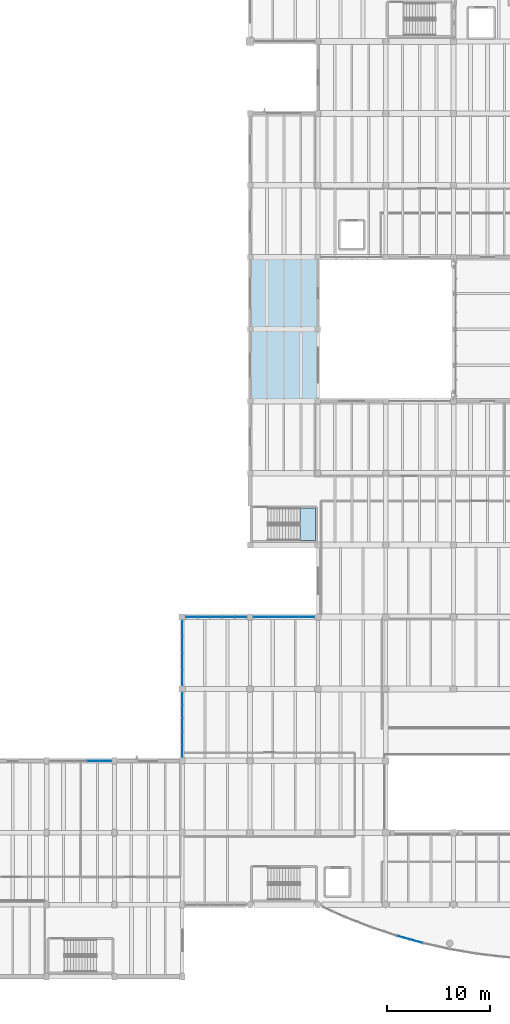
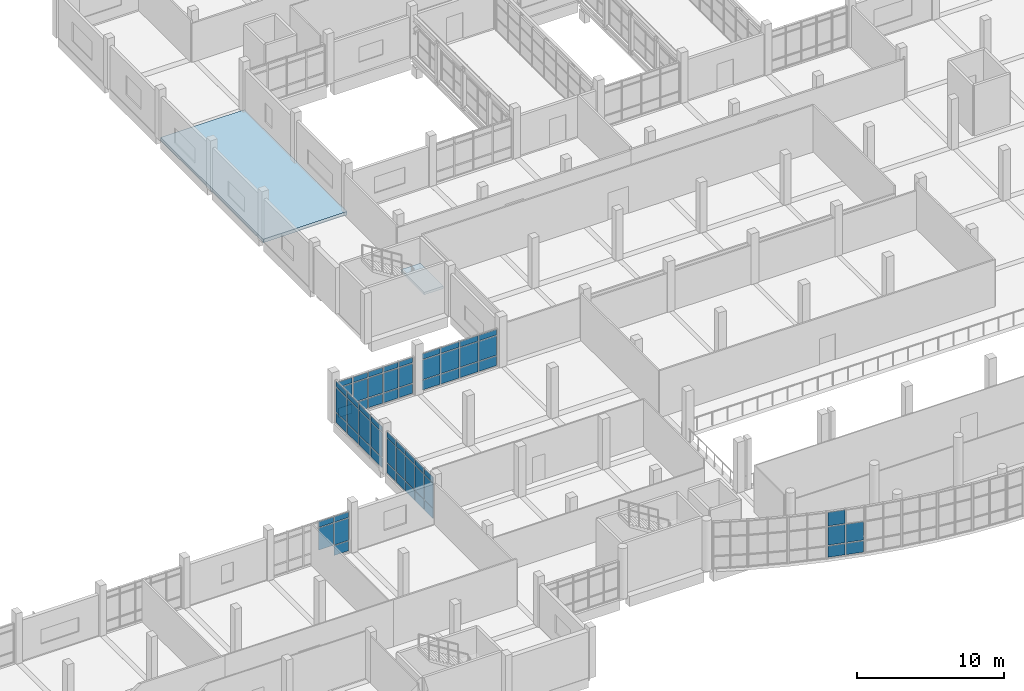
# One storey, part 37 of 67: 64 plates, 2 slabs, 7 elements without a shape of their own.
"""IFC4 building model written with IfcOpenShell, lengths in metres."""

from ifc_helpers import new_model, si_unit, direction, frame, origin, origin_2d, place, context, subcontext, project, spatial, polyline, rectangle, outline, extrude, material, layer, layer_set, type_object, element, aggregate, save


model = new_model("IFC4")

# Units and contexts
model_context = context("Model", 3, precision=1e-05, world=origin(), true_north=direction((0.0, 1.0)))
body_context = subcontext(model_context, "Body", "Model", "MODEL_VIEW")
ifc_project = project(units=[si_unit("LENGTHUNIT", "METRE"), si_unit("AREAUNIT", "SQUARE_METRE"), si_unit("VOLUMEUNIT", "CUBIC_METRE"), si_unit("PLANEANGLEUNIT", "RADIAN"), si_unit("MASSUNIT", "GRAM", prefix="KILO")], contexts=[model_context])

# Site, building, storey
site_placement = place(None, origin())
site = spatial("IfcSite", under=ifc_project, at=site_placement, CompositionType="ELEMENT")
building_placement = place(site_placement, origin())
building = spatial("IfcBuilding", under=site, at=building_placement, Name="Ciguamira Faculty of Natural Sciences", CompositionType="ELEMENT")
storey_placement = place(building_placement, frame((0.0, 0.0, 8.39990234375)))
storey = spatial("IfcBuildingStorey", under=building, at=storey_placement, Name="L02", CompositionType="ELEMENT", Elevation=8.39990234375)

# Curtain wall, plates
ifc_material_1 = material(Name="Anodized aluminium curtain wall", Category="aluminium")
curtain_wall_type_1 = type_object("IfcCurtainWallType", Name="CurtainWall_CW-01", PredefinedType="USERDEFINED", material=ifc_material_1)
curtain_wall_1_placement = place(storey_placement, origin())
curtain_wall_1 = element("IfcCurtainWall", 1, at=curtain_wall_1_placement, inside=storey, type_object=curtain_wall_type_1, Name="L02 unitised curtain wall 0061", ObjectType="UNITISED CURTAIN WALL", PredefinedType="USERDEFINED")
ifc_material_2 = material(Name="Low-E laminated solar glass", Category="glass")
ifc_layer_1 = layer(ifc_material_2, 0.028076171875, Name="Low-E laminated solar glass")
ifc_layer_set_1 = layer_set([ifc_layer_1], Name="Low-E laminated solar glass")
plate_type_1 = type_object("IfcPlateType", Name="CWPanel_CWP-01", PredefinedType="CURTAIN_PANEL", material=ifc_layer_set_1)
plate_1_placement = place(storey_placement, frame((58.364990234375, 38.0, 0.06005859375), z_axis=(0.0, 0.0, 1.0), x_axis=(1.0, 0.0, 0.0)))
plate_1 = element("IfcPlate", 2, at=plate_1_placement, type_object=plate_type_1, Name="CW-01 panel 1.1", PredefinedType="CURTAIN_PANEL", context=body_context, shape_type="SweptSolid", body=[
    extrude(rectangle(XDim=1.409912109375, YDim=0.028076171875, at=origin_2d()), origin(), (0.0, 0.0, 1.0), 0.81005859375),
])
plate_2_placement = place(storey_placement, frame((58.364990234375, 38.0, 0.93017578125), z_axis=(0.0, 0.0, 1.0), x_axis=(1.0, 0.0, 0.0)))
plate_2 = element("IfcPlate", 3, at=plate_2_placement, type_object=plate_type_1, Name="CW-01 panel 1.2", PredefinedType="CURTAIN_PANEL", context=body_context, shape_type="SweptSolid", body=[
    extrude(rectangle(XDim=1.409912109375, YDim=0.028076171875, at=origin_2d()), origin(), (0.0, 0.0, 1.0), 1.625),
])
plate_3_placement = place(storey_placement, frame((58.364990234375, 38.0, 2.615234375), z_axis=(0.0, 0.0, 1.0), x_axis=(1.0, 0.0, 0.0)))
plate_3 = element("IfcPlate", 4, at=plate_3_placement, type_object=plate_type_1, Name="CW-01 panel 1.3", PredefinedType="CURTAIN_PANEL", context=body_context, shape_type="SweptSolid", body=[
    extrude(rectangle(XDim=1.409912109375, YDim=0.028076171875, at=origin_2d()), origin(), (0.0, 0.0, 1.0), 0.4599609375),
])
plate_4_placement = place(storey_placement, frame((59.85009765625, 38.0, 0.06005859375), z_axis=(0.0, 0.0, 1.0), x_axis=(1.0, 0.0, 0.0)))
plate_4 = element("IfcPlate", 5, at=plate_4_placement, type_object=plate_type_1, Name="CW-01 panel 2.1", PredefinedType="CURTAIN_PANEL", context=body_context, shape_type="SweptSolid", body=[
    extrude(rectangle(XDim=1.43994140625, YDim=0.028076171875, at=origin_2d()), origin(), (0.0, 0.0, 1.0), 0.81005859375),
])
plate_5_placement = place(storey_placement, frame((59.85009765625, 38.0, 0.93017578125), z_axis=(0.0, 0.0, 1.0), x_axis=(1.0, 0.0, 0.0)))
plate_5 = element("IfcPlate", 6, at=plate_5_placement, type_object=plate_type_1, Name="CW-01 panel 2.2", PredefinedType="CURTAIN_PANEL", context=body_context, shape_type="SweptSolid", body=[
    extrude(rectangle(XDim=1.43994140625, YDim=0.028076171875, at=origin_2d()), origin(), (0.0, 0.0, 1.0), 1.625),
])
plate_6_placement = place(storey_placement, frame((59.85009765625, 38.0, 2.615234375), z_axis=(0.0, 0.0, 1.0), x_axis=(1.0, 0.0, 0.0)))
plate_6 = element("IfcPlate", 7, at=plate_6_placement, type_object=plate_type_1, Name="CW-01 panel 2.3", PredefinedType="CURTAIN_PANEL", context=body_context, shape_type="SweptSolid", body=[
    extrude(rectangle(XDim=1.43994140625, YDim=0.028076171875, at=origin_2d()), origin(), (0.0, 0.0, 1.0), 0.4599609375),
])
plate_7_placement = place(storey_placement, frame((61.35009765625, 38.0, 0.06005859375), z_axis=(0.0, 0.0, 1.0), x_axis=(1.0, 0.0, 0.0)))
plate_7 = element("IfcPlate", 8, at=plate_7_placement, type_object=plate_type_1, Name="CW-01 panel 3.1", PredefinedType="CURTAIN_PANEL", context=body_context, shape_type="SweptSolid", body=[
    extrude(rectangle(XDim=1.43994140625, YDim=0.028076171875, at=origin_2d()), origin(), (0.0, 0.0, 1.0), 0.81005859375),
])
plate_8_placement = place(storey_placement, frame((61.35009765625, 38.0, 0.93017578125), z_axis=(0.0, 0.0, 1.0), x_axis=(1.0, 0.0, 0.0)))
plate_8 = element("IfcPlate", 9, at=plate_8_placement, type_object=plate_type_1, Name="CW-01 panel 3.2", PredefinedType="CURTAIN_PANEL", context=body_context, shape_type="SweptSolid", body=[
    extrude(rectangle(XDim=1.43994140625, YDim=0.028076171875, at=origin_2d()), origin(), (0.0, 0.0, 1.0), 1.625),
])
plate_9_placement = place(storey_placement, frame((61.35009765625, 38.0, 2.615234375), z_axis=(0.0, 0.0, 1.0), x_axis=(1.0, 0.0, 0.0)))
plate_9 = element("IfcPlate", 10, at=plate_9_placement, type_object=plate_type_1, Name="CW-01 panel 3.3", PredefinedType="CURTAIN_PANEL", context=body_context, shape_type="SweptSolid", body=[
    extrude(rectangle(XDim=1.43994140625, YDim=0.028076171875, at=origin_2d()), origin(), (0.0, 0.0, 1.0), 0.4599609375),
])
plate_10_placement = place(storey_placement, frame((62.8349609375, 38.0, 0.06005859375), z_axis=(0.0, 0.0, 1.0), x_axis=(1.0, 0.0, 0.0)))
plate_10 = element("IfcPlate", 11, at=plate_10_placement, type_object=plate_type_1, Name="CW-01 panel 4.1", PredefinedType="CURTAIN_PANEL", context=body_context, shape_type="SweptSolid", body=[
    extrude(rectangle(XDim=1.409912109375, YDim=0.028076171875, at=origin_2d()), origin(), (0.0, 0.0, 1.0), 0.81005859375),
])
plate_11_placement = place(storey_placement, frame((62.8349609375, 38.0, 0.93017578125), z_axis=(0.0, 0.0, 1.0), x_axis=(1.0, 0.0, 0.0)))
plate_11 = element("IfcPlate", 12, at=plate_11_placement, type_object=plate_type_1, Name="CW-01 panel 4.2", PredefinedType="CURTAIN_PANEL", context=body_context, shape_type="SweptSolid", body=[
    extrude(rectangle(XDim=1.409912109375, YDim=0.028076171875, at=origin_2d()), origin(), (0.0, 0.0, 1.0), 1.625),
])
plate_12_placement = place(storey_placement, frame((62.8349609375, 38.0, 2.615234375), z_axis=(0.0, 0.0, 1.0), x_axis=(1.0, 0.0, 0.0)))
plate_12 = element("IfcPlate", 13, at=plate_12_placement, type_object=plate_type_1, Name="CW-01 panel 4.3", PredefinedType="CURTAIN_PANEL", context=body_context, shape_type="SweptSolid", body=[
    extrude(rectangle(XDim=1.409912109375, YDim=0.028076171875, at=origin_2d()), origin(), (0.0, 0.0, 1.0), 0.4599609375),
])
aggregate(curtain_wall_1, [plate_1, plate_2, plate_3, plate_4, plate_5, plate_6, plate_7, plate_8, plate_9, plate_10, plate_11, plate_12])

curtain_wall_type_2 = type_object("IfcCurtainWallType", Name="CurtainWall_CW-05", PredefinedType="USERDEFINED", material=ifc_material_1)
curtain_wall_2_placement = place(storey_placement, origin())
curtain_wall_2 = element("IfcCurtainWall", 14, at=curtain_wall_2_placement, inside=storey, type_object=curtain_wall_type_2, Name="L02 unitised curtain wall 0077", ObjectType="UNITISED CURTAIN WALL", PredefinedType="USERDEFINED")
plate_13_placement = place(storey_placement, frame((50.699951171875, 32.117431640625, 0.070068359375), z_axis=(0.0, 0.0, 1.0), x_axis=(0.0, 1.0, 0.0)))
plate_13 = element("IfcPlate", 15, at=plate_13_placement, type_object=plate_type_1, Name="CW-05 panel 1.1", PredefinedType="CURTAIN_PANEL", context=body_context, shape_type="SweptSolid", body=[
    extrude(rectangle(XDim=1.4951171875, YDim=0.028076171875, at=origin_2d()), origin(), (0.0, 0.0, 1.0), 0.794921875),
])
plate_14_placement = place(storey_placement, frame((50.699951171875, 32.117431640625, 0.93505859375), z_axis=(0.0, 0.0, 1.0), x_axis=(0.0, 1.0, 0.0)))
plate_14 = element("IfcPlate", 16, at=plate_14_placement, type_object=plate_type_1, Name="CW-05 panel 1.2", PredefinedType="CURTAIN_PANEL", context=body_context, shape_type="SweptSolid", body=[
    extrude(rectangle(XDim=1.4951171875, YDim=0.028076171875, at=origin_2d()), origin(), (0.0, 0.0, 1.0), 2.044921875),
])
plate_15_placement = place(storey_placement, frame((50.699951171875, 32.117431640625, 3.05029296875), z_axis=(0.0, 0.0, 1.0), x_axis=(0.0, 1.0, 0.0)))
plate_15 = element("IfcPlate", 17, at=plate_15_placement, type_object=plate_type_1, Name="CW-05 panel 1.3", PredefinedType="CURTAIN_PANEL", context=body_context, shape_type="SweptSolid", body=[
    extrude(rectangle(XDim=1.4951171875, YDim=0.028076171875, at=origin_2d()), origin(), (0.0, 0.0, 1.0), 0.445068359375),
])
plate_16_placement = place(storey_placement, frame((50.699951171875, 33.699951171875, 0.070068359375), z_axis=(0.0, 0.0, 1.0), x_axis=(0.0, 1.0, 0.0)))
plate_16 = element("IfcPlate", 18, at=plate_16_placement, type_object=plate_type_1, Name="CW-05 panel 2.1", PredefinedType="CURTAIN_PANEL", context=body_context, shape_type="SweptSolid", body=[
    extrude(rectangle(XDim=1.530029296875, YDim=0.028076171875, at=origin_2d()), origin(), (0.0, 0.0, 1.0), 0.794921875),
])
plate_17_placement = place(storey_placement, frame((50.699951171875, 33.699951171875, 0.93505859375), z_axis=(0.0, 0.0, 1.0), x_axis=(0.0, 1.0, 0.0)))
plate_17 = element("IfcPlate", 19, at=plate_17_placement, type_object=plate_type_1, Name="CW-05 panel 2.2", PredefinedType="CURTAIN_PANEL", context=body_context, shape_type="SweptSolid", body=[
    extrude(rectangle(XDim=1.530029296875, YDim=0.028076171875, at=origin_2d()), origin(), (0.0, 0.0, 1.0), 2.044921875),
])
plate_18_placement = place(storey_placement, frame((50.699951171875, 33.699951171875, 3.05029296875), z_axis=(0.0, 0.0, 1.0), x_axis=(0.0, 1.0, 0.0)))
plate_18 = element("IfcPlate", 20, at=plate_18_placement, type_object=plate_type_1, Name="CW-05 panel 2.3", PredefinedType="CURTAIN_PANEL", context=body_context, shape_type="SweptSolid", body=[
    extrude(rectangle(XDim=1.530029296875, YDim=0.028076171875, at=origin_2d()), origin(), (0.0, 0.0, 1.0), 0.445068359375),
])
plate_19_placement = place(storey_placement, frame((50.699951171875, 35.300048828125, 0.070068359375), z_axis=(0.0, 0.0, 1.0), x_axis=(0.0, 1.0, 0.0)))
plate_19 = element("IfcPlate", 21, at=plate_19_placement, type_object=plate_type_1, Name="CW-05 panel 3.1", PredefinedType="CURTAIN_PANEL", context=body_context, shape_type="SweptSolid", body=[
    extrude(rectangle(XDim=1.530029296875, YDim=0.028076171875, at=origin_2d()), origin(), (0.0, 0.0, 1.0), 0.794921875),
])
plate_20_placement = place(storey_placement, frame((50.699951171875, 35.300048828125, 0.93505859375), z_axis=(0.0, 0.0, 1.0), x_axis=(0.0, 1.0, 0.0)))
plate_20 = element("IfcPlate", 22, at=plate_20_placement, type_object=plate_type_1, Name="CW-05 panel 3.2", PredefinedType="CURTAIN_PANEL", context=body_context, shape_type="SweptSolid", body=[
    extrude(rectangle(XDim=1.530029296875, YDim=0.028076171875, at=origin_2d()), origin(), (0.0, 0.0, 1.0), 2.044921875),
])
plate_21_placement = place(storey_placement, frame((50.699951171875, 35.300048828125, 3.05029296875), z_axis=(0.0, 0.0, 1.0), x_axis=(0.0, 1.0, 0.0)))
plate_21 = element("IfcPlate", 23, at=plate_21_placement, type_object=plate_type_1, Name="CW-05 panel 3.3", PredefinedType="CURTAIN_PANEL", context=body_context, shape_type="SweptSolid", body=[
    extrude(rectangle(XDim=1.530029296875, YDim=0.028076171875, at=origin_2d()), origin(), (0.0, 0.0, 1.0), 0.445068359375),
])
plate_22_placement = place(storey_placement, frame((50.699951171875, 36.882568359375, 0.070068359375), z_axis=(0.0, 0.0, 1.0), x_axis=(0.0, 1.0, 0.0)))
plate_22 = element("IfcPlate", 24, at=plate_22_placement, type_object=plate_type_1, Name="CW-05 panel 4.1", PredefinedType="CURTAIN_PANEL", context=body_context, shape_type="SweptSolid", body=[
    extrude(rectangle(XDim=1.4951171875, YDim=0.028076171875, at=origin_2d()), origin(), (0.0, 0.0, 1.0), 0.794921875),
])
plate_23_placement = place(storey_placement, frame((50.699951171875, 36.882568359375, 0.93505859375), z_axis=(0.0, 0.0, 1.0), x_axis=(0.0, 1.0, 0.0)))
plate_23 = element("IfcPlate", 25, at=plate_23_placement, type_object=plate_type_1, Name="CW-05 panel 4.2", PredefinedType="CURTAIN_PANEL", context=body_context, shape_type="SweptSolid", body=[
    extrude(rectangle(XDim=1.4951171875, YDim=0.028076171875, at=origin_2d()), origin(), (0.0, 0.0, 1.0), 2.044921875),
])
plate_24_placement = place(storey_placement, frame((50.699951171875, 36.882568359375, 3.05029296875), z_axis=(0.0, 0.0, 1.0), x_axis=(0.0, 1.0, 0.0)))
plate_24 = element("IfcPlate", 26, at=plate_24_placement, type_object=plate_type_1, Name="CW-05 panel 4.3", PredefinedType="CURTAIN_PANEL", context=body_context, shape_type="SweptSolid", body=[
    extrude(rectangle(XDim=1.4951171875, YDim=0.028076171875, at=origin_2d()), origin(), (0.0, 0.0, 1.0), 0.445068359375),
])
aggregate(curtain_wall_2, [plate_13, plate_14, plate_15, plate_16, plate_17, plate_18, plate_19, plate_20, plate_21, plate_22, plate_23, plate_24])

curtain_wall_type_3 = type_object("IfcCurtainWallType", Name="CurtainWall_CW-09", PredefinedType="USERDEFINED", material=ifc_material_1)
curtain_wall_3_placement = place(storey_placement, origin())
curtain_wall_3 = element("IfcCurtainWall", 27, at=curtain_wall_3_placement, inside=storey, type_object=curtain_wall_type_3, Name="L02 south gallery curved curtain wall 04", ObjectType="UNITISED CURTAIN WALL", PredefinedType="USERDEFINED")
plate_25_placement = place(storey_placement, frame((72.260986328125, 6.791015625, 0.080078125), z_axis=(0.0, 0.0, 1.0), x_axis=(0.963573286652, -0.267444426472, 0.0)))
plate_25 = element("IfcPlate", 28, at=plate_25_placement, type_object=plate_type_1, Name="CW-09 panel 1.1", PredefinedType="CURTAIN_PANEL", context=body_context, shape_type="SweptSolid", body=[
    extrude(rectangle(XDim=1.2119140625, YDim=0.028076171875, at=origin_2d()), origin(), (0.0, 0.0, 1.0), 0.929931640625),
])
plate_26_placement = place(storey_placement, frame((72.260986328125, 6.791015625, 1.090087890625), z_axis=(0.0, 0.0, 1.0), x_axis=(0.963573286652, -0.267444426472, 0.0)))
plate_26 = element("IfcPlate", 29, at=plate_26_placement, type_object=plate_type_1, Name="CW-09 panel 1.2", PredefinedType="CURTAIN_PANEL", context=body_context, shape_type="SweptSolid", body=[
    extrude(rectangle(XDim=1.2119140625, YDim=0.028076171875, at=origin_2d()), origin(), (0.0, 0.0, 1.0), 1.52001953125),
])
plate_27_placement = place(storey_placement, frame((72.260986328125, 6.791015625, 2.690185546875), z_axis=(0.0, 0.0, 1.0), x_axis=(0.963573286652, -0.267444426472, 0.0)))
plate_27 = element("IfcPlate", 30, at=plate_27_placement, type_object=plate_type_1, Name="CW-09 panel 1.3", PredefinedType="CURTAIN_PANEL", context=body_context, shape_type="SweptSolid", body=[
    extrude(rectangle(XDim=1.2119140625, YDim=0.028076171875, at=origin_2d()), origin(), (0.0, 0.0, 1.0), 1.1298828125),
])
plate_28_placement = place(storey_placement, frame((73.505859375, 6.445556640625, 0.080078125), z_axis=(0.0, 0.0, 1.0), x_axis=(0.963573286652, -0.267444426472, 0.0)))
plate_28 = element("IfcPlate", 31, at=plate_28_placement, type_object=plate_type_1, Name="CW-09 panel 2.1", PredefinedType="CURTAIN_PANEL", context=body_context, shape_type="SweptSolid", body=[
    extrude(rectangle(XDim=1.2119140625, YDim=0.028076171875, at=origin_2d()), origin(), (0.0, 0.0, 1.0), 0.929931640625),
])
plate_29_placement = place(storey_placement, frame((73.505859375, 6.445556640625, 1.090087890625), z_axis=(0.0, 0.0, 1.0), x_axis=(0.963573286652, -0.267444426472, 0.0)))
plate_29 = element("IfcPlate", 32, at=plate_29_placement, type_object=plate_type_1, Name="CW-09 panel 2.2", PredefinedType="CURTAIN_PANEL", context=body_context, shape_type="SweptSolid", body=[
    extrude(rectangle(XDim=1.2119140625, YDim=0.028076171875, at=origin_2d()), origin(), (0.0, 0.0, 1.0), 1.52001953125),
])
aggregate(curtain_wall_3, [plate_25, plate_26, plate_27, plate_28, plate_29])

curtain_wall_type_4 = type_object("IfcCurtainWallType", Name="CurtainWall_CW-10", PredefinedType="USERDEFINED", material=ifc_material_1)
curtain_wall_4_placement = place(storey_placement, origin())
curtain_wall_4 = element("IfcCurtainWall", 33, at=curtain_wall_4_placement, inside=storey, type_object=curtain_wall_type_4, Name="L02 unitised curtain wall 0058", ObjectType="UNITISED CURTAIN WALL", PredefinedType="USERDEFINED")
ifc_layer_2 = layer(ifc_material_2, 0.035888671875, Name="Low-E laminated solar glass")
ifc_layer_set_2 = layer_set([ifc_layer_2], Name="Low-E laminated solar glass")
plate_type_2 = type_object("IfcPlateType", Name="CWPanel_CWP-02", PredefinedType="CURTAIN_PANEL", material=ifc_layer_set_2)
plate_30_placement = place(storey_placement, frame((42.02001953125, 24.0, 0.93017578125), z_axis=(0.0, 0.0, 1.0), x_axis=(1.0, 0.0, 0.0)))
plate_30 = element("IfcPlate", 34, at=plate_30_placement, type_object=plate_type_2, Name="CW-10 panel 4.2", PredefinedType="CURTAIN_PANEL", context=body_context, shape_type="SweptSolid", body=[
    extrude(rectangle(XDim=1.159912109375, YDim=0.035888671875, at=origin_2d()), origin(), (0.0, 0.0, 1.0), 1.8349609375),
])
plate_31_placement = place(storey_placement, frame((42.02001953125, 24.0, 2.8251953125), z_axis=(0.0, 0.0, 1.0), x_axis=(1.0, 0.0, 0.0)))
plate_31 = element("IfcPlate", 35, at=plate_31_placement, type_object=plate_type_2, Name="CW-10 panel 4.3", PredefinedType="CURTAIN_PANEL", context=body_context, shape_type="SweptSolid", body=[
    extrude(rectangle(XDim=1.159912109375, YDim=0.035888671875, at=origin_2d()), origin(), (0.0, 0.0, 1.0), 0.4599609375),
])
plate_32_placement = place(storey_placement, frame((43.22509765625, 24.0, 0.06005859375), z_axis=(0.0, 0.0, 1.0), x_axis=(1.0, 0.0, 0.0)))
plate_32 = element("IfcPlate", 36, at=plate_32_placement, type_object=plate_type_2, Name="CW-10 panel 5.1", PredefinedType="CURTAIN_PANEL", context=body_context, shape_type="SweptSolid", body=[
    extrude(rectangle(XDim=1.1298828125, YDim=0.035888671875, at=origin_2d()), origin(), (0.0, 0.0, 1.0), 0.81005859375),
])
plate_33_placement = place(storey_placement, frame((43.22509765625, 24.0, 0.93017578125), z_axis=(0.0, 0.0, 1.0), x_axis=(1.0, 0.0, 0.0)))
plate_33 = element("IfcPlate", 37, at=plate_33_placement, type_object=plate_type_2, Name="CW-10 panel 5.2", PredefinedType="CURTAIN_PANEL", context=body_context, shape_type="SweptSolid", body=[
    extrude(rectangle(XDim=1.1298828125, YDim=0.035888671875, at=origin_2d()), origin(), (0.0, 0.0, 1.0), 1.8349609375),
])
plate_34_placement = place(storey_placement, frame((43.22509765625, 24.0, 2.8251953125), z_axis=(0.0, 0.0, 1.0), x_axis=(1.0, 0.0, 0.0)))
plate_34 = element("IfcPlate", 38, at=plate_34_placement, type_object=plate_type_2, Name="CW-10 panel 5.3", PredefinedType="CURTAIN_PANEL", context=body_context, shape_type="SweptSolid", body=[
    extrude(rectangle(XDim=1.1298828125, YDim=0.035888671875, at=origin_2d()), origin(), (0.0, 0.0, 1.0), 0.4599609375),
])
aggregate(curtain_wall_4, [plate_30, plate_31, plate_32, plate_33, plate_34])

curtain_wall_type_5 = type_object("IfcCurtainWallType", Name="CurtainWall_CW-12", PredefinedType="USERDEFINED", material=ifc_material_1)
curtain_wall_5_placement = place(storey_placement, origin())
curtain_wall_5 = element("IfcCurtainWall", 39, at=curtain_wall_5_placement, inside=storey, type_object=curtain_wall_type_5, Name="L02 unitised curtain wall 0060", ObjectType="UNITISED CURTAIN WALL", PredefinedType="USERDEFINED")
plate_35_placement = place(storey_placement, frame((51.6201171875, 38.0, 0.080078125), z_axis=(0.0, 0.0, 1.0), x_axis=(1.0, 0.0, 0.0)))
plate_35 = element("IfcPlate", 40, at=plate_35_placement, type_object=plate_type_2, Name="CW-12 panel 1.1", PredefinedType="CURTAIN_PANEL", context=body_context, shape_type="SweptSolid", body=[
    extrude(rectangle(XDim=1.080078125, YDim=0.035888671875, at=origin_2d()), origin(), (0.0, 0.0, 1.0), 0.780029296875),
])
plate_36_placement = place(storey_placement, frame((51.6201171875, 38.0, 0.940185546875), z_axis=(0.0, 0.0, 1.0), x_axis=(1.0, 0.0, 0.0)))
plate_36 = element("IfcPlate", 41, at=plate_36_placement, type_object=plate_type_2, Name="CW-12 panel 1.2", PredefinedType="CURTAIN_PANEL", context=body_context, shape_type="SweptSolid", body=[
    extrude(rectangle(XDim=1.080078125, YDim=0.035888671875, at=origin_2d()), origin(), (0.0, 0.0, 1.0), 1.60498046875),
])
plate_37_placement = place(storey_placement, frame((51.6201171875, 38.0, 2.625), z_axis=(0.0, 0.0, 1.0), x_axis=(1.0, 0.0, 0.0)))
plate_37 = element("IfcPlate", 42, at=plate_37_placement, type_object=plate_type_2, Name="CW-12 panel 1.3", PredefinedType="CURTAIN_PANEL", context=body_context, shape_type="SweptSolid", body=[
    extrude(rectangle(XDim=1.080078125, YDim=0.035888671875, at=origin_2d()), origin(), (0.0, 0.0, 1.0), 0.429931640625),
])
plate_38_placement = place(storey_placement, frame((52.800048828125, 38.0, 0.080078125), z_axis=(0.0, 0.0, 1.0), x_axis=(1.0, 0.0, 0.0)))
plate_38 = element("IfcPlate", 43, at=plate_38_placement, type_object=plate_type_2, Name="CW-12 panel 2.1", PredefinedType="CURTAIN_PANEL", context=body_context, shape_type="SweptSolid", body=[
    extrude(rectangle(XDim=1.1201171875, YDim=0.035888671875, at=origin_2d()), origin(), (0.0, 0.0, 1.0), 0.780029296875),
])
plate_39_placement = place(storey_placement, frame((52.800048828125, 38.0, 0.940185546875), z_axis=(0.0, 0.0, 1.0), x_axis=(1.0, 0.0, 0.0)))
plate_39 = element("IfcPlate", 44, at=plate_39_placement, type_object=plate_type_2, Name="CW-12 panel 2.2", PredefinedType="CURTAIN_PANEL", context=body_context, shape_type="SweptSolid", body=[
    extrude(rectangle(XDim=1.1201171875, YDim=0.035888671875, at=origin_2d()), origin(), (0.0, 0.0, 1.0), 1.60498046875),
])
plate_40_placement = place(storey_placement, frame((52.800048828125, 38.0, 2.625), z_axis=(0.0, 0.0, 1.0), x_axis=(1.0, 0.0, 0.0)))
plate_40 = element("IfcPlate", 45, at=plate_40_placement, type_object=plate_type_2, Name="CW-12 panel 2.3", PredefinedType="CURTAIN_PANEL", context=body_context, shape_type="SweptSolid", body=[
    extrude(rectangle(XDim=1.1201171875, YDim=0.035888671875, at=origin_2d()), origin(), (0.0, 0.0, 1.0), 0.429931640625),
])
plate_41_placement = place(storey_placement, frame((54.0, 38.0, 0.080078125), z_axis=(0.0, 0.0, 1.0), x_axis=(1.0, 0.0, 0.0)))
plate_41 = element("IfcPlate", 46, at=plate_41_placement, type_object=plate_type_2, Name="CW-12 panel 3.1", PredefinedType="CURTAIN_PANEL", context=body_context, shape_type="SweptSolid", body=[
    extrude(rectangle(XDim=1.1201171875, YDim=0.035888671875, at=origin_2d()), origin(), (0.0, 0.0, 1.0), 0.780029296875),
])
plate_42_placement = place(storey_placement, frame((54.0, 38.0, 0.940185546875), z_axis=(0.0, 0.0, 1.0), x_axis=(1.0, 0.0, 0.0)))
plate_42 = element("IfcPlate", 47, at=plate_42_placement, type_object=plate_type_2, Name="CW-12 panel 3.2", PredefinedType="CURTAIN_PANEL", context=body_context, shape_type="SweptSolid", body=[
    extrude(rectangle(XDim=1.1201171875, YDim=0.035888671875, at=origin_2d()), origin(), (0.0, 0.0, 1.0), 1.60498046875),
])
plate_43_placement = place(storey_placement, frame((54.0, 38.0, 2.625), z_axis=(0.0, 0.0, 1.0), x_axis=(1.0, 0.0, 0.0)))
plate_43 = element("IfcPlate", 48, at=plate_43_placement, type_object=plate_type_2, Name="CW-12 panel 3.3", PredefinedType="CURTAIN_PANEL", context=body_context, shape_type="SweptSolid", body=[
    extrude(rectangle(XDim=1.1201171875, YDim=0.035888671875, at=origin_2d()), origin(), (0.0, 0.0, 1.0), 0.429931640625),
])
plate_44_placement = place(storey_placement, frame((55.199951171875, 38.0, 0.080078125), z_axis=(0.0, 0.0, 1.0), x_axis=(1.0, 0.0, 0.0)))
plate_44 = element("IfcPlate", 49, at=plate_44_placement, type_object=plate_type_2, Name="CW-12 panel 4.1", PredefinedType="CURTAIN_PANEL", context=body_context, shape_type="SweptSolid", body=[
    extrude(rectangle(XDim=1.1201171875, YDim=0.035888671875, at=origin_2d()), origin(), (0.0, 0.0, 1.0), 0.780029296875),
])
plate_45_placement = place(storey_placement, frame((55.199951171875, 38.0, 0.940185546875), z_axis=(0.0, 0.0, 1.0), x_axis=(1.0, 0.0, 0.0)))
plate_45 = element("IfcPlate", 50, at=plate_45_placement, type_object=plate_type_2, Name="CW-12 panel 4.2", PredefinedType="CURTAIN_PANEL", context=body_context, shape_type="SweptSolid", body=[
    extrude(rectangle(XDim=1.1201171875, YDim=0.035888671875, at=origin_2d()), origin(), (0.0, 0.0, 1.0), 1.60498046875),
])
plate_46_placement = place(storey_placement, frame((55.199951171875, 38.0, 2.625), z_axis=(0.0, 0.0, 1.0), x_axis=(1.0, 0.0, 0.0)))
plate_46 = element("IfcPlate", 51, at=plate_46_placement, type_object=plate_type_2, Name="CW-12 panel 4.3", PredefinedType="CURTAIN_PANEL", context=body_context, shape_type="SweptSolid", body=[
    extrude(rectangle(XDim=1.1201171875, YDim=0.035888671875, at=origin_2d()), origin(), (0.0, 0.0, 1.0), 0.429931640625),
])
plate_47_placement = place(storey_placement, frame((56.3798828125, 38.0, 0.080078125), z_axis=(0.0, 0.0, 1.0), x_axis=(1.0, 0.0, 0.0)))
plate_47 = element("IfcPlate", 52, at=plate_47_placement, type_object=plate_type_2, Name="CW-12 panel 5.1", PredefinedType="CURTAIN_PANEL", context=body_context, shape_type="SweptSolid", body=[
    extrude(rectangle(XDim=1.080078125, YDim=0.035888671875, at=origin_2d()), origin(), (0.0, 0.0, 1.0), 0.780029296875),
])
plate_48_placement = place(storey_placement, frame((56.3798828125, 38.0, 0.940185546875), z_axis=(0.0, 0.0, 1.0), x_axis=(1.0, 0.0, 0.0)))
plate_48 = element("IfcPlate", 53, at=plate_48_placement, type_object=plate_type_2, Name="CW-12 panel 5.2", PredefinedType="CURTAIN_PANEL", context=body_context, shape_type="SweptSolid", body=[
    extrude(rectangle(XDim=1.080078125, YDim=0.035888671875, at=origin_2d()), origin(), (0.0, 0.0, 1.0), 1.60498046875),
])
plate_49_placement = place(storey_placement, frame((56.3798828125, 38.0, 2.625), z_axis=(0.0, 0.0, 1.0), x_axis=(1.0, 0.0, 0.0)))
plate_49 = element("IfcPlate", 54, at=plate_49_placement, type_object=plate_type_2, Name="CW-12 panel 5.3", PredefinedType="CURTAIN_PANEL", context=body_context, shape_type="SweptSolid", body=[
    extrude(rectangle(XDim=1.080078125, YDim=0.035888671875, at=origin_2d()), origin(), (0.0, 0.0, 1.0), 0.429931640625),
])
aggregate(curtain_wall_5, [plate_35, plate_36, plate_37, plate_38, plate_39, plate_40, plate_41, plate_42, plate_43, plate_44, plate_45, plate_46, plate_47, plate_48, plate_49])

curtain_wall_type_6 = type_object("IfcCurtainWallType", Name="CurtainWall_CW-04", PredefinedType="USERDEFINED", material=ifc_material_1)
curtain_wall_6_placement = place(storey_placement, origin())
curtain_wall_6 = element("IfcCurtainWall", 55, at=curtain_wall_6_placement, inside=storey, type_object=curtain_wall_type_6, Name="L02 unitised curtain wall 0076", ObjectType="UNITISED CURTAIN WALL", PredefinedType="USERDEFINED")
plate_50_placement = place(storey_placement, frame((50.699951171875, 24.9775390625, 0.06005859375), z_axis=(0.0, 0.0, 1.0), x_axis=(0.0, 1.0, 0.0)))
plate_50 = element("IfcPlate", 56, at=plate_50_placement, type_object=plate_type_2, Name="CW-04 panel 1.1", PredefinedType="CURTAIN_PANEL", context=body_context, shape_type="SweptSolid", body=[
    extrude(rectangle(XDim=1.18505859375, YDim=0.035888671875, at=origin_2d()), origin(), (0.0, 0.0, 1.0), 0.81005859375),
])
plate_51_placement = place(storey_placement, frame((50.699951171875, 24.9775390625, 0.93017578125), z_axis=(0.0, 0.0, 1.0), x_axis=(0.0, 1.0, 0.0)))
plate_51 = element("IfcPlate", 57, at=plate_51_placement, type_object=plate_type_2, Name="CW-04 panel 1.2", PredefinedType="CURTAIN_PANEL", context=body_context, shape_type="SweptSolid", body=[
    extrude(rectangle(XDim=1.18505859375, YDim=0.035888671875, at=origin_2d()), origin(), (0.0, 0.0, 1.0), 2.054931640625),
])
plate_52_placement = place(storey_placement, frame((50.699951171875, 24.9775390625, 3.045166015625), z_axis=(0.0, 0.0, 1.0), x_axis=(0.0, 1.0, 0.0)))
plate_52 = element("IfcPlate", 58, at=plate_52_placement, type_object=plate_type_2, Name="CW-04 panel 1.3", PredefinedType="CURTAIN_PANEL", context=body_context, shape_type="SweptSolid", body=[
    extrude(rectangle(XDim=1.18505859375, YDim=0.035888671875, at=origin_2d()), origin(), (0.0, 0.0, 1.0), 0.4599609375),
])
plate_53_placement = place(storey_placement, frame((50.699951171875, 26.237548828125, 0.06005859375), z_axis=(0.0, 0.0, 1.0), x_axis=(0.0, 1.0, 0.0)))
plate_53 = element("IfcPlate", 59, at=plate_53_placement, type_object=plate_type_2, Name="CW-04 panel 2.1", PredefinedType="CURTAIN_PANEL", context=body_context, shape_type="SweptSolid", body=[
    extrude(rectangle(XDim=1.215087890625, YDim=0.035888671875, at=origin_2d()), origin(), (0.0, 0.0, 1.0), 0.81005859375),
])
plate_54_placement = place(storey_placement, frame((50.699951171875, 26.237548828125, 0.93017578125), z_axis=(0.0, 0.0, 1.0), x_axis=(0.0, 1.0, 0.0)))
plate_54 = element("IfcPlate", 60, at=plate_54_placement, type_object=plate_type_2, Name="CW-04 panel 2.2", PredefinedType="CURTAIN_PANEL", context=body_context, shape_type="SweptSolid", body=[
    extrude(rectangle(XDim=1.215087890625, YDim=0.035888671875, at=origin_2d()), origin(), (0.0, 0.0, 1.0), 2.054931640625),
])
plate_55_placement = place(storey_placement, frame((50.699951171875, 26.237548828125, 3.045166015625), z_axis=(0.0, 0.0, 1.0), x_axis=(0.0, 1.0, 0.0)))
plate_55 = element("IfcPlate", 61, at=plate_55_placement, type_object=plate_type_2, Name="CW-04 panel 2.3", PredefinedType="CURTAIN_PANEL", context=body_context, shape_type="SweptSolid", body=[
    extrude(rectangle(XDim=1.215087890625, YDim=0.035888671875, at=origin_2d()), origin(), (0.0, 0.0, 1.0), 0.4599609375),
])
plate_56_placement = place(storey_placement, frame((50.699951171875, 27.512451171875, 0.06005859375), z_axis=(0.0, 0.0, 1.0), x_axis=(0.0, 1.0, 0.0)))
plate_56 = element("IfcPlate", 62, at=plate_56_placement, type_object=plate_type_2, Name="CW-04 panel 3.1", PredefinedType="CURTAIN_PANEL", context=body_context, shape_type="SweptSolid", body=[
    extrude(rectangle(XDim=1.215087890625, YDim=0.035888671875, at=origin_2d()), origin(), (0.0, 0.0, 1.0), 0.81005859375),
])
plate_57_placement = place(storey_placement, frame((50.699951171875, 27.512451171875, 0.93017578125), z_axis=(0.0, 0.0, 1.0), x_axis=(0.0, 1.0, 0.0)))
plate_57 = element("IfcPlate", 63, at=plate_57_placement, type_object=plate_type_2, Name="CW-04 panel 3.2", PredefinedType="CURTAIN_PANEL", context=body_context, shape_type="SweptSolid", body=[
    extrude(rectangle(XDim=1.215087890625, YDim=0.035888671875, at=origin_2d()), origin(), (0.0, 0.0, 1.0), 2.054931640625),
])
plate_58_placement = place(storey_placement, frame((50.699951171875, 27.512451171875, 3.045166015625), z_axis=(0.0, 0.0, 1.0), x_axis=(0.0, 1.0, 0.0)))
plate_58 = element("IfcPlate", 64, at=plate_58_placement, type_object=plate_type_2, Name="CW-04 panel 3.3", PredefinedType="CURTAIN_PANEL", context=body_context, shape_type="SweptSolid", body=[
    extrude(rectangle(XDim=1.215087890625, YDim=0.035888671875, at=origin_2d()), origin(), (0.0, 0.0, 1.0), 0.4599609375),
])
plate_59_placement = place(storey_placement, frame((50.699951171875, 28.78759765625, 0.06005859375), z_axis=(0.0, 0.0, 1.0), x_axis=(0.0, 1.0, 0.0)))
plate_59 = element("IfcPlate", 65, at=plate_59_placement, type_object=plate_type_2, Name="CW-04 panel 4.1", PredefinedType="CURTAIN_PANEL", context=body_context, shape_type="SweptSolid", body=[
    extrude(rectangle(XDim=1.215087890625, YDim=0.035888671875, at=origin_2d()), origin(), (0.0, 0.0, 1.0), 0.81005859375),
])
plate_60_placement = place(storey_placement, frame((50.699951171875, 28.78759765625, 0.93017578125), z_axis=(0.0, 0.0, 1.0), x_axis=(0.0, 1.0, 0.0)))
plate_60 = element("IfcPlate", 66, at=plate_60_placement, type_object=plate_type_2, Name="CW-04 panel 4.2", PredefinedType="CURTAIN_PANEL", context=body_context, shape_type="SweptSolid", body=[
    extrude(rectangle(XDim=1.215087890625, YDim=0.035888671875, at=origin_2d()), origin(), (0.0, 0.0, 1.0), 2.054931640625),
])
plate_61_placement = place(storey_placement, frame((50.699951171875, 28.78759765625, 3.045166015625), z_axis=(0.0, 0.0, 1.0), x_axis=(0.0, 1.0, 0.0)))
plate_61 = element("IfcPlate", 67, at=plate_61_placement, type_object=plate_type_2, Name="CW-04 panel 4.3", PredefinedType="CURTAIN_PANEL", context=body_context, shape_type="SweptSolid", body=[
    extrude(rectangle(XDim=1.215087890625, YDim=0.035888671875, at=origin_2d()), origin(), (0.0, 0.0, 1.0), 0.4599609375),
])
plate_62_placement = place(storey_placement, frame((50.699951171875, 30.047607421875, 0.06005859375), z_axis=(0.0, 0.0, 1.0), x_axis=(0.0, 1.0, 0.0)))
plate_62 = element("IfcPlate", 68, at=plate_62_placement, type_object=plate_type_2, Name="CW-04 panel 5.1", PredefinedType="CURTAIN_PANEL", context=body_context, shape_type="SweptSolid", body=[
    extrude(rectangle(XDim=1.18505859375, YDim=0.035888671875, at=origin_2d()), origin(), (0.0, 0.0, 1.0), 0.81005859375),
])
plate_63_placement = place(storey_placement, frame((50.699951171875, 30.047607421875, 0.93017578125), z_axis=(0.0, 0.0, 1.0), x_axis=(0.0, 1.0, 0.0)))
plate_63 = element("IfcPlate", 69, at=plate_63_placement, type_object=plate_type_2, Name="CW-04 panel 5.2", PredefinedType="CURTAIN_PANEL", context=body_context, shape_type="SweptSolid", body=[
    extrude(rectangle(XDim=1.18505859375, YDim=0.035888671875, at=origin_2d()), origin(), (0.0, 0.0, 1.0), 2.054931640625),
])
plate_64_placement = place(storey_placement, frame((50.699951171875, 30.047607421875, 3.045166015625), z_axis=(0.0, 0.0, 1.0), x_axis=(0.0, 1.0, 0.0)))
plate_64 = element("IfcPlate", 70, at=plate_64_placement, type_object=plate_type_2, Name="CW-04 panel 5.3", PredefinedType="CURTAIN_PANEL", context=body_context, shape_type="SweptSolid", body=[
    extrude(rectangle(XDim=1.18505859375, YDim=0.035888671875, at=origin_2d()), origin(), (0.0, 0.0, 1.0), 0.4599609375),
])
aggregate(curtain_wall_6, [plate_50, plate_51, plate_52, plate_53, plate_54, plate_55, plate_56, plate_57, plate_58, plate_59, plate_60, plate_61, plate_62, plate_63, plate_64])

# Slab
ifc_material_3 = material(Name="Concrete C40/50", Category="concrete")
ifc_layer_3 = layer(ifc_material_3, 0.280029296875, Name="Concrete C40/50")
ifc_layer_set_3 = layer_set([ifc_layer_3], Name="Concrete C40/50")
slab_type_1 = type_object("IfcSlabType", Name="Slab_SF-03_280", PredefinedType="FLOOR", material=ifc_layer_set_3)
slab_1_placement = place(storey_placement, frame((0.0, 0.0, -0.27978515625)))
element("IfcSlab", 71, at=slab_1_placement, inside=storey, type_object=slab_type_1, Name="L02 V4W structural slab", PredefinedType="FLOOR", context=body_context, shape_type="SweptSolid", body=[
    extrude(outline(polyline([(57.300048828125, 59.0), (63.89990234375, 59.0), (63.89990234375, 73.0), (57.300048828125, 73.0), (57.300048828125, 59.0)])), origin(), (0.0, 0.0, 1.0), 0.27978515625),
])

# Stair, slab
stair_type = type_object("IfcStairType", Name="Stair_STR-01", PredefinedType="HALF_TURN_STAIR", material=ifc_material_3)
stair_placement = place(storey_placement, origin())
stair = element("IfcStair", 72, at=stair_placement, inside=storey, type_object=stair_type, Name="L02 Wave Labs South-West Exit Stair", PredefinedType="HALF_TURN_STAIR")
ifc_layer_4 = layer(ifc_material_3, 0.199951171875, Name="Concrete C40/50")
ifc_layer_set_4 = layer_set([ifc_layer_4], Name="Concrete C40/50")
slab_type_2 = type_object("IfcSlabType", Name="StairLanding_SLD01", PredefinedType="LANDING", material=ifc_layer_set_4)
slab_2_placement = place(storey_placement, frame((0.0, 0.0, 1.900146484375)))
slab_2 = element("IfcSlab", 73, at=slab_2_placement, type_object=slab_type_2, Name="ST-W1 landing 1", PredefinedType="LANDING", context=body_context, shape_type="SweptSolid", body=[
    extrude(outline(polyline([(62.139892578125, 45.449951171875), (63.64990234375, 45.449951171875), (63.64990234375, 48.610107421875), (62.139892578125, 48.610107421875), (62.139892578125, 45.449951171875)])), origin(), (0.0, 0.0, 1.0), 0.199951171875),
])
aggregate(stair, [slab_2])

save(model, "model.ifc")
